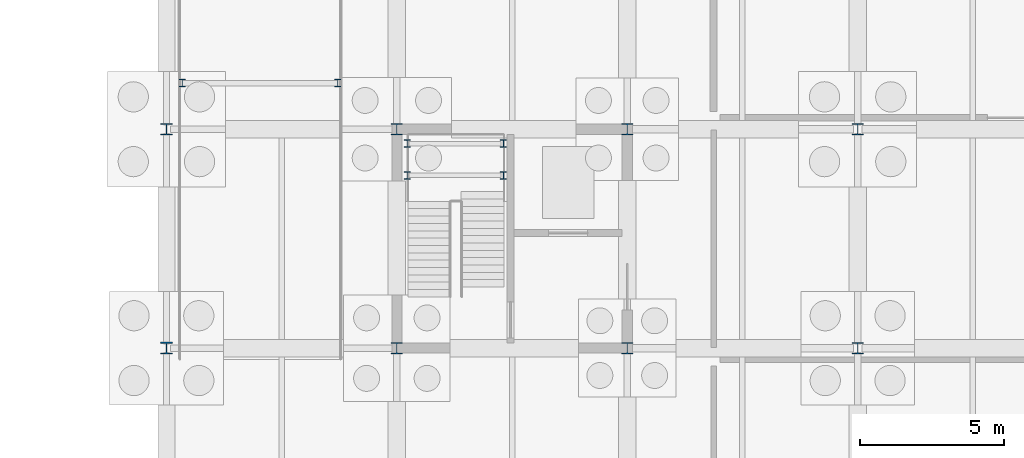
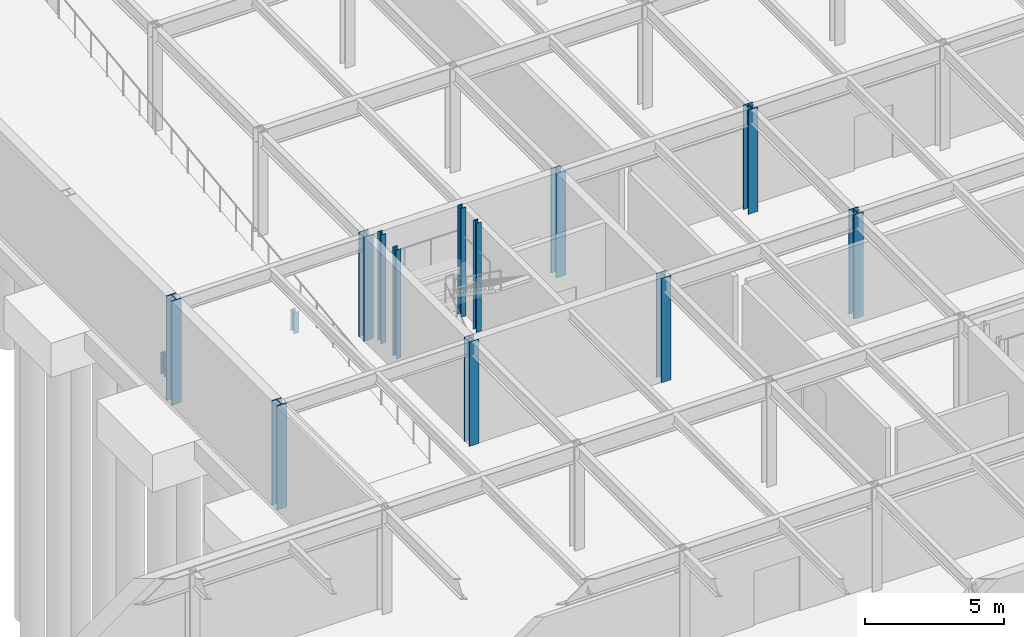
# One storey, part 8 of 21: 14 columns.
"""IFC4 building model written with IfcOpenShell, lengths in metres."""

from ifc_helpers import new_model, si_unit, direction, frame, origin, origin_2d, place, context, subcontext, project, spatial, i_section, extrude, material, material_profile, profile_set, type_object, element, save


model = new_model("IFC4")

# Units and contexts
model_context = context("Model", 3, precision=1e-05, world=origin(), true_north=direction((0.0, 1.0)))
body_context = subcontext(model_context, "Body", "Model", "MODEL_VIEW")
ifc_project = project(units=[si_unit("LENGTHUNIT", "METRE"), si_unit("AREAUNIT", "SQUARE_METRE"), si_unit("VOLUMEUNIT", "CUBIC_METRE"), si_unit("PLANEANGLEUNIT", "RADIAN"), si_unit("MASSUNIT", "GRAM", prefix="KILO")], contexts=[model_context])

# Site, building, storey
site_placement = place(None, origin())
site = spatial("IfcSite", under=ifc_project, at=site_placement, CompositionType="ELEMENT")
building_placement = place(site_placement, origin())
building = spatial("IfcBuilding", under=site, at=building_placement, Name="Zulena Civic Courthouse", CompositionType="ELEMENT")
storey_placement = place(building_placement, frame((0.0, 0.0, -4.800048828125)))
storey = spatial("IfcBuildingStorey", under=building, at=storey_placement, Name="B01", CompositionType="ELEMENT", Elevation=-4.800048828125)

# Columns
ifc_material = material(Name="Steel ASTM A992 Grade 50", Category="steel")
ifc_material_profile_1 = material_profile(ifc_material, i_section(OverallWidth=0.2041015625, OverallDepth=0.257080078125, WebThickness=0.0087890625, FlangeThickness=0.015625, FilletRadius=0.0126953125, at=origin_2d()), Name="W10X45")
ifc_profile_set_1 = profile_set([ifc_material_profile_1], Name="Steel ASTM A992 Grade 50")
column_type_1 = type_object("IfcColumnType", Name="Col_W10X45", PredefinedType="COLUMN", material=ifc_profile_set_1)
for number, where, z_axis, x_axis, name in (
    (1, (68.550048828125, 77.60009765625, 0.0), (0.0, 0.0, 1.0), (1.0, 0.0, 0.0), "col:vramp:B01:0:68.55"),
    (2, (73.949951171875, 77.60009765625, 0.0), (0.0, 0.0, 1.0), (1.0, 0.0, 0.0), "col:vramp:B01:0:73.95"),
):
    element("IfcColumn", number, at=place(storey_placement, frame(where, z_axis=z_axis, x_axis=x_axis)), inside=storey, type_object=column_type_1, Name=name, PredefinedType="COLUMN", context=body_context, shape_type="SweptSolid", body=[
        extrude(i_section(OverallWidth=0.2041015625, OverallDepth=0.257080078125, WebThickness=0.0087890625, FlangeThickness=0.015625, FilletRadius=0.0126953125, at=origin_2d()), origin(), (0.0, 0.0, 1.0), 0.945068359375),
    ])
for number, where, z_axis, x_axis, name in (
    (3, (76.360107421875, 74.39990234375, 0.0), (0.0, 0.0, 1.0), (1.0, 0.0, 0.0), "col:lnd:K5B:B01:0:0"),
    (4, (79.699951171875, 74.39990234375, 0.0), (0.0, 0.0, 1.0), (1.0, 0.0, 0.0), "col:lnd:K5B:B01:0:1"),
    (5, (76.360107421875, 75.5, 0.0), (0.0, 0.0, 1.0), (1.0, 0.0, 0.0), "col:lnd:K5B:B01:1:0"),
    (6, (79.699951171875, 75.5, 0.0), (0.0, 0.0, 1.0), (1.0, 0.0, 0.0), "col:lnd:K5B:B01:1:1"),
):
    element("IfcColumn", number, at=place(storey_placement, frame(where, z_axis=z_axis, x_axis=x_axis)), inside=storey, type_object=column_type_1, Name=name, PredefinedType="COLUMN", context=body_context, shape_type="SweptSolid", body=[
        extrude(i_section(OverallWidth=0.2041015625, OverallDepth=0.257080078125, WebThickness=0.0087890625, FlangeThickness=0.015625, FilletRadius=0.0126953125, at=origin_2d()), origin(), (0.0, 0.0, 1.0), 4.795166015625),
    ])
ifc_material_profile_2 = material_profile(ifc_material, i_section(OverallWidth=0.40087890625, OverallDepth=0.39892578125, WebThickness=0.02490234375, FlangeThickness=0.03955078125, FilletRadius=0.01513671875, at=origin_2d()), Name="W14X211")
ifc_profile_set_2 = profile_set([ifc_material_profile_2], Name="Steel ASTM A992 Grade 50")
column_type_2 = type_object("IfcColumnType", Name="Col_W14X211", PredefinedType="COLUMN", material=ifc_profile_set_2)
for number, where, z_axis, x_axis, name in (
    (7, (76.0, 68.39990234375, 0.0), (0.0, 0.0, 1.0), (1.0, 0.0, 0.0), "col:V5:B01:76.0:68.4"),
    (8, (76.0, 76.0, 0.0), (0.0, 0.0, 1.0), (1.0, 0.0, 0.0), "col:V5:B01:76.0:76.0"),
    (9, (84.0, 68.39990234375, 0.0), (0.0, 0.0, 1.0), (1.0, 0.0, 0.0), "col:V5:B01:84.0:68.4"),
    (10, (84.0, 76.0, 0.0), (0.0, 0.0, 1.0), (1.0, 0.0, 0.0), "col:V5:B01:84.0:76.0"),
    (11, (92.0, 68.39990234375, 0.0), (0.0, 0.0, 1.0), (1.0, 0.0, 0.0), "col:V5:B01:92.0:68.4"),
    (12, (92.0, 76.0, 0.0), (0.0, 0.0, 1.0), (1.0, 0.0, 0.0), "col:V5:B01:92.0:76.0"),
):
    element("IfcColumn", number, at=place(storey_placement, frame(where, z_axis=z_axis, x_axis=x_axis)), inside=storey, type_object=column_type_2, Name=name, PredefinedType="COLUMN", context=body_context, shape_type="SweptSolid", body=[
        extrude(i_section(OverallWidth=0.40087890625, OverallDepth=0.39892578125, WebThickness=0.02490234375, FlangeThickness=0.03955078125, FilletRadius=0.01513671875, at=origin_2d()), origin(), (0.0, 0.0, 1.0), 4.580078125),
    ])
ifc_material_profile_3 = material_profile(ifc_material, i_section(OverallWidth=0.406005859375, OverallDepth=0.416015625, WebThickness=0.02978515625, FlangeThickness=0.048095703125, FilletRadius=0.01513671875, at=origin_2d()), Name="W14X257")
ifc_profile_set_3 = profile_set([ifc_material_profile_3], Name="Steel ASTM A992 Grade 50")
column_type_3 = type_object("IfcColumnType", Name="Col_W14X257", PredefinedType="COLUMN", material=ifc_profile_set_3)
for number, where, z_axis, x_axis, name in (
    (13, (68.0, 68.39990234375, 0.0), (0.0, 0.0, 1.0), (1.0, 0.0, 0.0), "col:V5:B01:68.0:68.4"),
    (14, (68.0, 76.0, 0.0), (0.0, 0.0, 1.0), (1.0, 0.0, 0.0), "col:V5:B01:68.0:76.0"),
):
    element("IfcColumn", number, at=place(storey_placement, frame(where, z_axis=z_axis, x_axis=x_axis)), inside=storey, type_object=column_type_3, Name=name, PredefinedType="COLUMN", context=body_context, shape_type="SweptSolid", body=[
        extrude(i_section(OverallWidth=0.406005859375, OverallDepth=0.416015625, WebThickness=0.02978515625, FlangeThickness=0.048095703125, FilletRadius=0.01513671875, at=origin_2d()), origin(), (0.0, 0.0, 1.0), 4.580078125),
    ])

save(model, "model.ifc")
